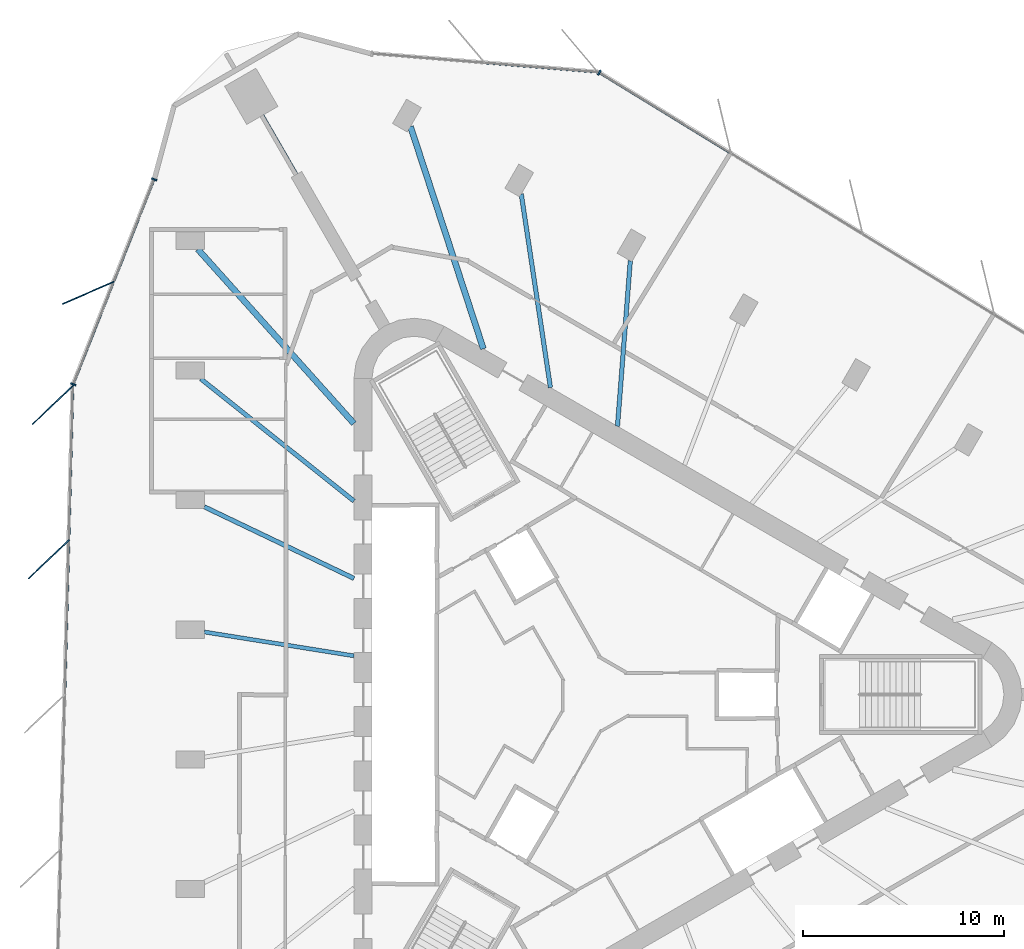
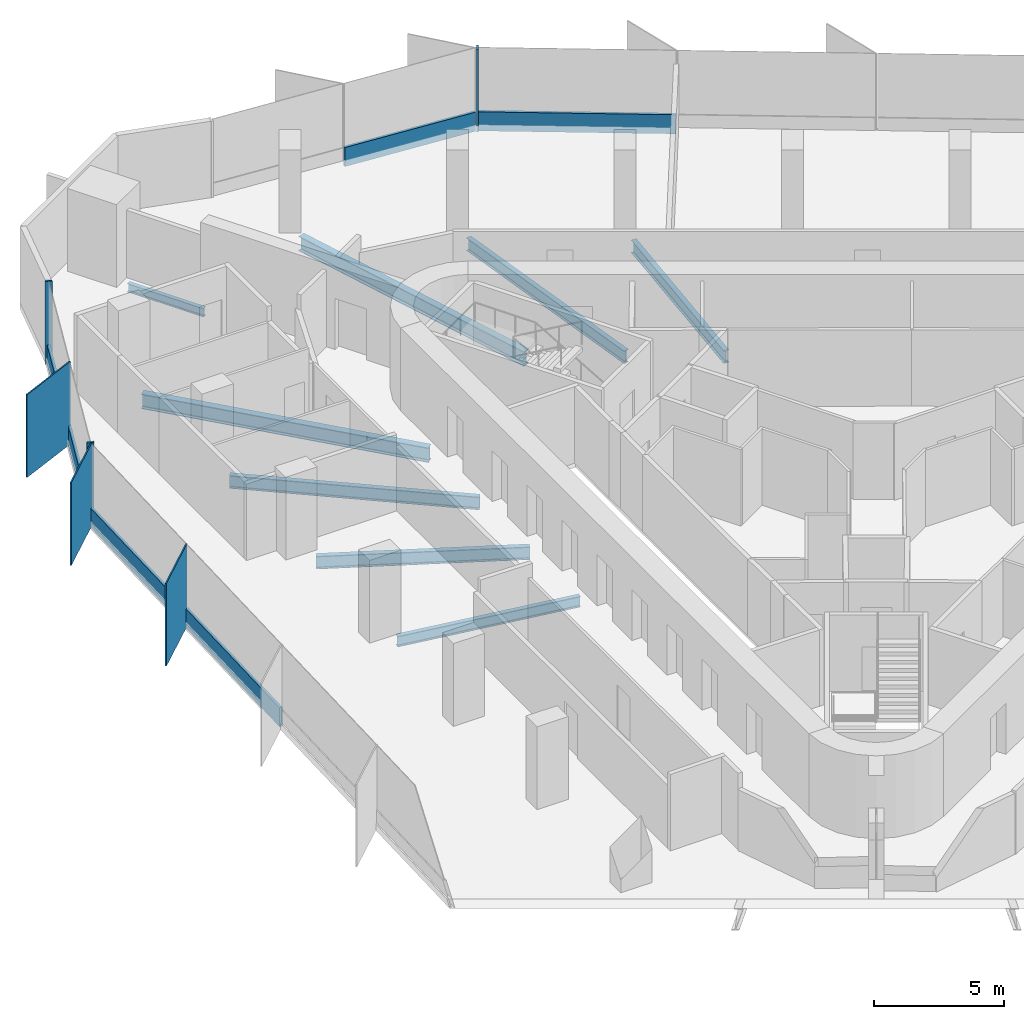
# One storey, part 4 of 13: 12 members, 8 beams, 4 elements without a shape of their own.
"""IFC4 building model written with IfcOpenShell, lengths in metres."""

from ifc_helpers import new_model, si_unit, direction, frame, origin, origin_2d, place, context, subcontext, project, spatial, rectangle, i_section, extrude, material, material_profile, profile_set, type_object, element, aggregate, save


model = new_model("IFC4")

# Units and contexts
model_context = context("Model", 3, precision=1e-05, world=origin(), true_north=direction((0.0, 1.0)))
body_context = subcontext(model_context, "Body", "Model", "MODEL_VIEW")
ifc_project = project(units=[si_unit("LENGTHUNIT", "METRE"), si_unit("AREAUNIT", "SQUARE_METRE"), si_unit("VOLUMEUNIT", "CUBIC_METRE"), si_unit("PLANEANGLEUNIT", "RADIAN"), si_unit("MASSUNIT", "GRAM", prefix="KILO")], contexts=[model_context])

# Site, building, storey
site_placement = place(None, origin())
site = spatial("IfcSite", under=ifc_project, at=site_placement, CompositionType="ELEMENT")
building_placement = place(site_placement, origin())
building = spatial("IfcBuilding", under=site, at=building_placement, Name="Tanit Gate Tower", CompositionType="ELEMENT")
storey_placement = place(building_placement, frame((0.0, 0.0, 326.0)))
storey = spatial("IfcBuildingStorey", under=building, at=storey_placement, Name="L73", CompositionType="ELEMENT", Elevation=326.0)

# Curtain wall, member
ifc_material_1 = material(Name="Aluminium bronze anodised and glass", Category="aluminium")
curtain_wall_type = type_object("IfcCurtainWallType", Name="Curtain wall typical high", PredefinedType="NOTDEFINED", material=ifc_material_1)
curtain_wall_1_placement = place(storey_placement, origin())
curtain_wall_1 = element("IfcCurtainWall", 1, at=curtain_wall_1_placement, inside=storey, type_object=curtain_wall_type, Name="Curtain wall L73 W1", PredefinedType="NOTDEFINED")
ifc_material_2 = material(Name="Aluminium bronze anodised", Category="aluminium")
ifc_material_profile_1 = material_profile(ifc_material_2, rectangle(XDim=2.800048828125, YDim=0.055908203125, at=origin_2d()), Name="56x2800 bronze fin mullion")
ifc_profile_set_1 = profile_set([ifc_material_profile_1], Name="Aluminium bronze anodised")
member_type_1 = type_object("IfcMemberType", Name="FIN MULLION 56x2800 bronze", PredefinedType="MULLION", material=ifc_profile_set_1)
member_1_placement = place(storey_placement, frame((-25.345947265625, 20.02587890625, -0.300048828125), z_axis=(0.0, 0.0, 1.0), x_axis=(0.917303704753, 0.398188288687, 0.0)))
member_1 = element("IfcMember", 2, at=member_1_placement, type_object=member_type_1, Name="Fin mullion L73 W1.2", PredefinedType="MULLION", context=body_context, shape_type="SweptSolid", body=[
    extrude(rectangle(XDim=2.800048828125, YDim=0.055908203125, at=origin_2d()), origin(), (0.0, 0.0, 1.0), 3.900146484375),
])

# Curtain wall, members
curtain_wall_2_placement = place(storey_placement, origin())
curtain_wall_2 = element("IfcCurtainWall", 3, at=curtain_wall_2_placement, inside=storey, type_object=curtain_wall_type, Name="Curtain wall L73 W2", PredefinedType="NOTDEFINED")
member_2_placement = place(storey_placement, frame((-27.112060546875, 14.4404296875, -0.300048828125), z_axis=(0.0, 0.0, 1.0), x_axis=(0.725295571884, 0.688437603131, 0.0)))
member_2 = element("IfcMember", 4, at=member_2_placement, type_object=member_type_1, Name="Fin mullion L73 W2.1", PredefinedType="MULLION", context=body_context, shape_type="SweptSolid", body=[
    extrude(rectangle(XDim=2.800048828125, YDim=0.055908203125, at=origin_2d()), origin(), (0.0, 0.0, 1.0), 3.900146484375),
])
member_3_placement = place(storey_placement, frame((-27.312744140625, 6.745361328125, -0.300048828125), z_axis=(0.0, 0.0, 1.0), x_axis=(0.725295571884, 0.688437603131, 0.0)))
member_3 = element("IfcMember", 5, at=member_3_placement, type_object=member_type_1, Name="Fin mullion L73 W2.2", PredefinedType="MULLION", context=body_context, shape_type="SweptSolid", body=[
    extrude(rectangle(XDim=2.800048828125, YDim=0.055908203125, at=origin_2d()), origin(), (0.0, 0.0, 1.0), 3.900146484375),
])

# Curtain wall, member
curtain_wall_3_placement = place(storey_placement, origin())
curtain_wall_3 = element("IfcCurtainWall", 6, at=curtain_wall_3_placement, inside=storey, type_object=curtain_wall_type, Name="Curtain wall L73 NE2", PredefinedType="NOTDEFINED")
ifc_material_3 = material(Name="Aluminium bronze anodised", Category="aluminium")
ifc_material_profile_2 = material_profile(ifc_material_3, rectangle(XDim=0.280029296875, YDim=0.080078125, at=origin_2d()), Name="80x280 bronze mullion")
ifc_profile_set_2 = profile_set([ifc_material_profile_2], Name="Aluminium bronze anodised")
member_type_2 = type_object("IfcMemberType", Name="Mullion 80x280 typical high", PredefinedType="MULLION", material=ifc_profile_set_2)
member_4_placement = place(storey_placement, frame((0.129150390625, 31.00244140625, -0.300048828125), z_axis=(0.0, 0.0, 1.0), x_axis=(-0.522400961521, -0.852699967985, 0.0)))
member_4 = element("IfcMember", 7, at=member_4_placement, type_object=member_type_2, Name="Mullion L73 NE2.5", PredefinedType="MULLION", context=body_context, shape_type="SweptSolid", body=[
    extrude(rectangle(XDim=0.280029296875, YDim=0.080078125, at=origin_2d()), origin(), (0.0, 0.0, 1.0), 3.900146484375),
])

# Member
member_5_placement = place(storey_placement, frame((-22.064208984375, 25.68310546875, -0.300048828125), z_axis=(0.0, 0.0, 1.0), x_axis=(0.930193309157, -0.367070030919, 0.0)))
member_5 = element("IfcMember", 8, at=member_5_placement, type_object=member_type_2, Name="Mullion L73 W1.1", PredefinedType="MULLION", context=body_context, shape_type="SweptSolid", body=[
    extrude(rectangle(XDim=0.280029296875, YDim=0.080078125, at=origin_2d()), origin(), (0.0, 0.0, 1.0), 3.900146484375),
])

member_6_placement = place(storey_placement, frame((-26.095458984375, 15.4677734375, -0.300048828125), z_axis=(0.0, 0.0, 1.0), x_axis=(0.930193309157, -0.367070030919, 0.0)))
member_6 = element("IfcMember", 9, at=member_6_placement, type_object=member_type_2, Name="Mullion L73 W1.3", PredefinedType="MULLION", context=body_context, shape_type="SweptSolid", body=[
    extrude(rectangle(XDim=0.280029296875, YDim=0.080078125, at=origin_2d()), origin(), (0.0, 0.0, 1.0), 3.900146484375),
])

# Beams
ifc_material_4 = material(Name="Steel S355", Category="steel")
ifc_material_profile_3 = material_profile(ifc_material_4, i_section(OverallWidth=0.300048828125, OverallDepth=0.68994140625, WebThickness=0.014404296875, FlangeThickness=0.027099609375, FilletRadius=0.027099609375, at=origin_2d()), Name="HEA 700")
ifc_profile_set_3 = profile_set([ifc_material_profile_3], Name="Steel S355")
beam_type_1 = type_object("IfcBeamType", Name="RADIAL GIRDER HEA 700 S355", PredefinedType="BEAM", material=ifc_profile_set_3)
beam_1_placement = place(storey_placement, frame((-9.283203125, 28.318359375, -0.64501953125), z_axis=(0.311519991774, -0.950239598588, 0.0), x_axis=(0.950239598588, 0.311519991774, 0.0)))
element("IfcBeam", 10, at=beam_1_placement, inside=storey, type_object=beam_type_1, Name="RADIAL GIRDER", PredefinedType="BEAM", context=body_context, shape_type="SweptSolid", body=[
    extrude(i_section(OverallWidth=0.300048828125, OverallDepth=0.68994140625, WebThickness=0.014404296875, FlangeThickness=0.027099609375, FilletRadius=0.027099609375, at=origin_2d()), origin(), (0.0, 0.0, 1.0), 11.662353515625),
])
beam_2_placement = place(storey_placement, frame((-19.8828125, 22.198486328125, -0.64501953125), z_axis=(0.667183957843, -0.744892989896, 0.0), x_axis=(0.744892989896, 0.667183957843, 0.0)))
element("IfcBeam", 11, at=beam_2_placement, inside=storey, type_object=beam_type_1, Name="RADIAL GIRDER", PredefinedType="BEAM", context=body_context, shape_type="SweptSolid", body=[
    extrude(i_section(OverallWidth=0.300048828125, OverallDepth=0.68994140625, WebThickness=0.014404296875, FlangeThickness=0.027099609375, FilletRadius=0.027099609375, at=origin_2d()), origin(), (0.0, 0.0, 1.0), 11.662109375),
])
ifc_material_5 = material(Name="Steel S355", Category="steel")
ifc_material_profile_4 = material_profile(ifc_material_5, i_section(OverallWidth=0.179931640625, OverallDepth=0.39990234375, WebThickness=0.008544921875, FlangeThickness=0.013427734375, FilletRadius=0.02099609375, at=origin_2d()), Name="IPE 400")
ifc_profile_set_4 = profile_set([ifc_material_profile_4], Name="Steel S355")
beam_type_2 = type_object("IfcBeamType", Name="RADIAL GIRDER IPE 400 S355", PredefinedType="BEAM", material=ifc_profile_set_4)
beam_3_placement = place(storey_placement, frame((-16.66748046875, 28.868896484375, -0.5), z_axis=(0.500041741429, -0.866001303018, 0.0), x_axis=(0.866001303018, 0.500041741429, 0.0)))
element("IfcBeam", 12, at=beam_3_placement, inside=storey, type_object=beam_type_2, Name="RADIAL GIRDER", PredefinedType="BEAM", context=body_context, shape_type="SweptSolid", body=[
    extrude(i_section(OverallWidth=0.179931640625, OverallDepth=0.39990234375, WebThickness=0.008544921875, FlangeThickness=0.013427734375, FilletRadius=0.02099609375, at=origin_2d()), origin(), (0.0, 0.0, 1.0), 3.397705078125),
])
ifc_material_6 = material(Name="Steel S355", Category="steel")
ifc_material_profile_5 = material_profile(ifc_material_6, i_section(OverallWidth=0.199951171875, OverallDepth=0.5, WebThickness=0.01025390625, FlangeThickness=0.01611328125, FilletRadius=0.02099609375, at=origin_2d()), Name="IPE 500")
ifc_profile_set_5 = profile_set([ifc_material_profile_5], Name="Steel S355")
beam_type_3 = type_object("IfcBeamType", Name="RADIAL GIRDER IPE 500 S355", PredefinedType="BEAM", material=ifc_profile_set_5)
beam_4_placement = place(storey_placement, frame((-19.563720703125, 3.120361328125, -0.550048828125), z_axis=(0.987516531299, -0.157515397379, 0.0), x_axis=(0.157515397379, 0.987516531299, 0.0)))
element("IfcBeam", 13, at=beam_4_placement, inside=storey, type_object=beam_type_3, Name="RADIAL GIRDER", PredefinedType="BEAM", context=body_context, shape_type="SweptSolid", body=[
    extrude(i_section(OverallWidth=0.199951171875, OverallDepth=0.5, WebThickness=0.01025390625, FlangeThickness=0.01611328125, FilletRadius=0.02099609375, at=origin_2d()), origin(), (0.0, 0.0, 1.0), 7.555908203125),
])
ifc_material_7 = material(Name="Steel S355", Category="steel")
ifc_material_profile_6 = material_profile(ifc_material_7, i_section(OverallWidth=0.219970703125, OverallDepth=0.60009765625, WebThickness=0.011962890625, FlangeThickness=0.01904296875, FilletRadius=0.02392578125, at=origin_2d()), Name="IPE 600")
ifc_profile_set_6 = profile_set([ifc_material_profile_6], Name="Steel S355")
beam_type_4 = type_object("IfcBeamType", Name="RADIAL GIRDER IPE 600 S355", PredefinedType="BEAM", material=ifc_profile_set_6)
beam_5_placement = place(storey_placement, frame((1.675048828125, 21.623046875, -0.60009765625), z_axis=(-0.077240429266, -0.997012495452, 0.0), x_axis=(0.997012495452, -0.077240429266, 0.0)))
element("IfcBeam", 14, at=beam_5_placement, inside=storey, type_object=beam_type_4, Name="RADIAL GIRDER", PredefinedType="BEAM", context=body_context, shape_type="SweptSolid", body=[
    extrude(i_section(OverallWidth=0.219970703125, OverallDepth=0.60009765625, WebThickness=0.011962890625, FlangeThickness=0.01904296875, FilletRadius=0.02392578125, at=origin_2d()), origin(), (0.0, 0.0, 1.0), 8.271728515625),
])
beam_6_placement = place(storey_placement, frame((-3.76123046875, 24.95458984375, -0.60009765625), z_axis=(0.1490500566, -0.988829651976, 0.0), x_axis=(0.988829651976, 0.1490500566, 0.0)))
element("IfcBeam", 15, at=beam_6_placement, inside=storey, type_object=beam_type_4, Name="RADIAL GIRDER", PredefinedType="BEAM", context=body_context, shape_type="SweptSolid", body=[
    extrude(i_section(OverallWidth=0.219970703125, OverallDepth=0.60009765625, WebThickness=0.011962890625, FlangeThickness=0.01904296875, FilletRadius=0.02392578125, at=origin_2d()), origin(), (0.0, 0.0, 1.0), 9.75732421875),
])
beam_7_placement = place(storey_placement, frame((-19.730712890625, 15.734619140625, -0.60009765625), z_axis=(0.781827225561, -0.623495139814, 0.0), x_axis=(0.623495139814, 0.781827225561, 0.0)))
element("IfcBeam", 16, at=beam_7_placement, inside=storey, type_object=beam_type_4, Name="RADIAL GIRDER", PredefinedType="BEAM", context=body_context, shape_type="SweptSolid", body=[
    extrude(i_section(OverallWidth=0.219970703125, OverallDepth=0.60009765625, WebThickness=0.011962890625, FlangeThickness=0.01904296875, FilletRadius=0.02392578125, at=origin_2d()), origin(), (0.0, 0.0, 1.0), 9.757568359375),
])
beam_8_placement = place(storey_placement, frame((-19.563720703125, 9.36083984375, -0.60009765625), z_axis=(0.902054789369, -0.431621543688, 0.0), x_axis=(0.431621543688, 0.902054789369, 0.0)))
element("IfcBeam", 17, at=beam_8_placement, inside=storey, type_object=beam_type_4, Name="RADIAL GIRDER", PredefinedType="BEAM", context=body_context, shape_type="SweptSolid", body=[
    extrude(i_section(OverallWidth=0.219970703125, OverallDepth=0.60009765625, WebThickness=0.011962890625, FlangeThickness=0.01904296875, FilletRadius=0.02392578125, at=origin_2d()), origin(), (0.0, 0.0, 1.0), 8.27197265625),
])

# Member
ifc_material_8 = material(Name="Aluminium bronze anodised", Category="aluminium")
ifc_material_profile_7 = material_profile(ifc_material_8, rectangle(XDim=0.1201171875, YDim=0.89990234375, at=origin_2d()), Name="120x900 bronze transom")
ifc_profile_set_7 = profile_set([ifc_material_profile_7], Name="Aluminium bronze anodised")
member_type_3 = type_object("IfcMemberType", Name="Transom 120x900 typical high", PredefinedType="USERDEFINED", material=ifc_profile_set_7)
member_7_placement = place(storey_placement, frame((6.65869140625, 27.002197265625, 0.14990234375), z_axis=(-0.852691062329, 0.522415497687, 0.0), x_axis=(-0.522415497687, -0.852691062329, 0.0)))
member_7 = element("IfcMember", 18, at=member_7_placement, type_object=member_type_3, Name="Transom L73 NE2.4", ObjectType="TRANSOM", PredefinedType="USERDEFINED", context=body_context, shape_type="SweptSolid", body=[
    extrude(rectangle(XDim=0.1201171875, YDim=0.89990234375, at=origin_2d()), origin(), (0.0, 0.0, 1.0), 7.617431640625),
])

aggregate(curtain_wall_3, [member_4, member_7])

# Curtain wall, member
curtain_wall_4_placement = place(storey_placement, origin())
curtain_wall_4 = element("IfcCurtainWall", 19, at=curtain_wall_4_placement, inside=storey, type_object=curtain_wall_type, Name="Curtain wall L73 NE3", PredefinedType="NOTDEFINED")
member_8_placement = place(storey_placement, frame((0.015380859375, 31.030029296875, 0.14990234375), z_axis=(-0.996645692333, 0.081837423916, 0.0), x_axis=(-0.081837423916, -0.996645692333, 0.0)))
member_8 = element("IfcMember", 20, at=member_8_placement, type_object=member_type_3, Name="Transom L73 NE3.1", ObjectType="TRANSOM", PredefinedType="USERDEFINED", context=body_context, shape_type="SweptSolid", body=[
    extrude(rectangle(XDim=0.1201171875, YDim=0.89990234375, at=origin_2d()), origin(), (0.0, 0.0, 1.0), 5.56982421875),
])
aggregate(curtain_wall_4, [member_8])

# Member
member_9_placement = place(storey_placement, frame((-22.078857421875, 25.64599609375, 0.14990234375), z_axis=(-0.367077162798, -0.930190494765, 0.0), x_axis=(0.930190494765, -0.367077162798, 0.0)))
member_9 = element("IfcMember", 21, at=member_9_placement, type_object=member_type_3, Name="Transom L73 W1.1", ObjectType="TRANSOM", PredefinedType="USERDEFINED", context=body_context, shape_type="SweptSolid", body=[
    extrude(rectangle(XDim=0.1201171875, YDim=0.89990234375, at=origin_2d()), origin(), (0.0, 0.0, 1.0), 5.4111328125),
])

member_10_placement = place(storey_placement, frame((-24.094482421875, 20.538330078125, 0.14990234375), z_axis=(-0.367077162798, -0.930190494765, 0.0), x_axis=(0.930190494765, -0.367077162798, 0.0)))
member_10 = element("IfcMember", 22, at=member_10_placement, type_object=member_type_3, Name="Transom L73 W1.2", ObjectType="TRANSOM", PredefinedType="USERDEFINED", context=body_context, shape_type="SweptSolid", body=[
    extrude(rectangle(XDim=0.1201171875, YDim=0.89990234375, at=origin_2d()), origin(), (0.0, 0.0, 1.0), 5.4111328125),
])

aggregate(curtain_wall_1, [member_5, member_1, member_6, member_9, member_10])

member_11_placement = place(storey_placement, frame((-26.112060546875, 15.3505859375, 0.14990234375), z_axis=(-0.026056361338, -0.999660475378, 0.0), x_axis=(0.999660475378, -0.026056361338, 0.0)))
member_11 = element("IfcMember", 23, at=member_11_placement, type_object=member_type_3, Name="Transom L73 W2.1", ObjectType="TRANSOM", PredefinedType="USERDEFINED", context=body_context, shape_type="SweptSolid", body=[
    extrude(rectangle(XDim=0.1201171875, YDim=0.89990234375, at=origin_2d()), origin(), (0.0, 0.0, 1.0), 7.61767578125),
])

member_12_placement = place(storey_placement, frame((-26.312744140625, 7.655517578125, 0.14990234375), z_axis=(-0.026056361338, -0.999660475378, 0.0), x_axis=(0.999660475378, -0.026056361338, 0.0)))
member_12 = element("IfcMember", 24, at=member_12_placement, type_object=member_type_3, Name="Transom L73 W2.2", ObjectType="TRANSOM", PredefinedType="USERDEFINED", context=body_context, shape_type="SweptSolid", body=[
    extrude(rectangle(XDim=0.1201171875, YDim=0.89990234375, at=origin_2d()), origin(), (0.0, 0.0, 1.0), 7.61767578125),
])

aggregate(curtain_wall_2, [member_2, member_3, member_11, member_12])

save(model, "model.ifc")
